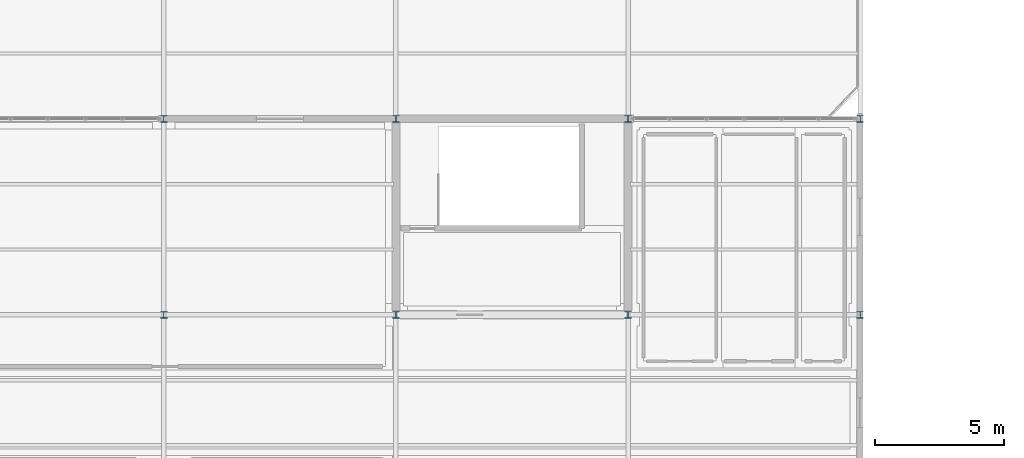
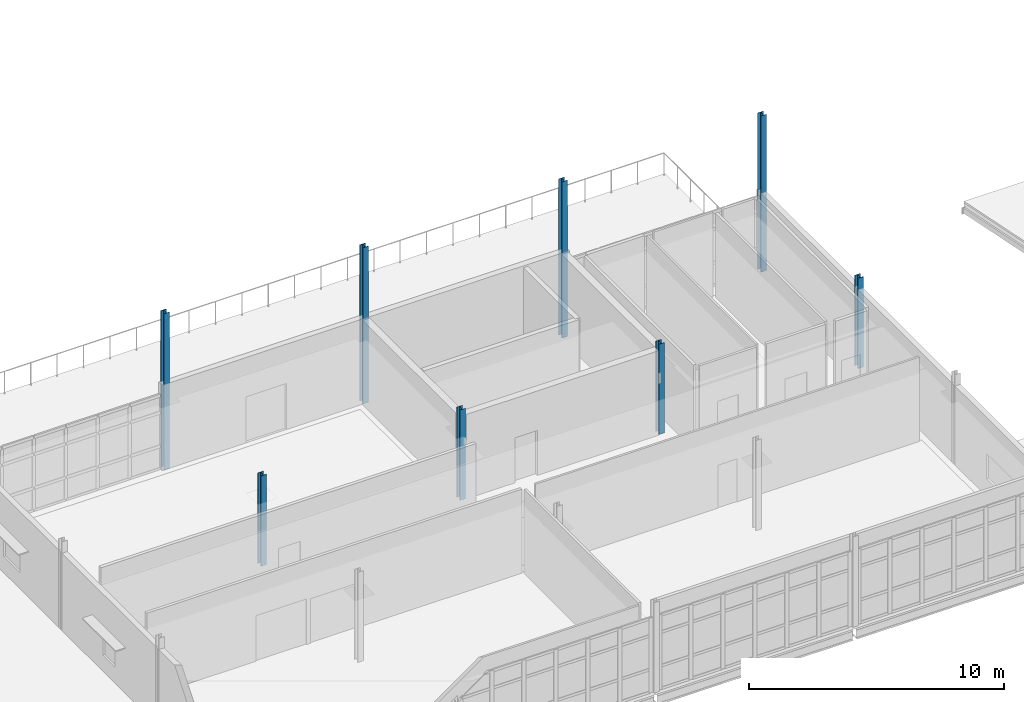
# One storey, part 11 of 96: 8 columns.
"""IFC4 building model written with IfcOpenShell, lengths in metres."""

from ifc_helpers import new_model, si_unit, direction, frame, origin, origin_2d, place, context, subcontext, project, spatial, i_section, extrude, material, material_profile, profile_set, type_object, element, save


model = new_model("IFC4")

# Units and contexts
model_context = context("Model", 3, precision=1e-05, world=origin(), true_north=direction((0.0, 1.0)))
body_context = subcontext(model_context, "Body", "Model", "MODEL_VIEW")
ifc_project = project(units=[si_unit("LENGTHUNIT", "METRE"), si_unit("AREAUNIT", "SQUARE_METRE"), si_unit("VOLUMEUNIT", "CUBIC_METRE"), si_unit("PLANEANGLEUNIT", "RADIAN"), si_unit("MASSUNIT", "GRAM", prefix="KILO")], contexts=[model_context])

# Site, building, storey
site_placement = place(None, origin())
site = spatial("IfcSite", under=ifc_project, at=site_placement, CompositionType="ELEMENT")
building_placement = place(site_placement, origin())
building = spatial("IfcBuilding", under=site, at=building_placement, Name="Caisbarro Railhouse Central Library", CompositionType="ELEMENT")
storey_placement = place(building_placement, frame((0.0, 0.0, 13.679931640625)))
storey = spatial("IfcBuildingStorey", under=building, at=storey_placement, Name="L03", CompositionType="ELEMENT", Elevation=13.679931640625)

# Columns
ifc_material = material(Name="Steel ASTM A572 Grade 50", Category="steel")
ifc_material_profile = material_profile(ifc_material, i_section(OverallWidth=0.25390625, OverallDepth=0.2529296875, WebThickness=0.008544921875, FlangeThickness=0.01416015625, FilletRadius=0.011962890625, at=origin_2d()), Name="W250X73.0")
ifc_profile_set = profile_set([ifc_material_profile], Name="Steel ASTM A572 Grade 50")
column_type = type_object("IfcColumnType", Name="COL-C08", PredefinedType="COLUMN", material=ifc_profile_set)
column_1_placement = place(storey_placement, frame((72.0, 98.800048828125, 0.0), z_axis=(0.0, 0.0, 1.0), x_axis=(1.0, 0.0, 0.0)))
element("IfcColumn", 1, at=column_1_placement, inside=storey, type_object=column_type, Name="C08 column L03 (72.0,98.8)", PredefinedType="COLUMN", context=body_context, shape_type="SweptSolid", body=[
    extrude(i_section(OverallWidth=0.25390625, OverallDepth=0.2529296875, WebThickness=0.008544921875, FlangeThickness=0.01416015625, FilletRadius=0.011962890625, at=origin_2d()), origin(), (0.0, 0.0, 1.0), 4.320068359375),
])
column_2_placement = place(storey_placement, frame((72.0, 106.39990234375, 0.0), z_axis=(0.0, 0.0, 1.0), x_axis=(1.0, 0.0, 0.0)))
element("IfcColumn", 2, at=column_2_placement, inside=storey, type_object=column_type, Name="C08 column L03 (72.0,106.4)", PredefinedType="COLUMN", context=body_context, shape_type="SweptSolid", body=[
    extrude(i_section(OverallWidth=0.25390625, OverallDepth=0.2529296875, WebThickness=0.008544921875, FlangeThickness=0.01416015625, FilletRadius=0.011962890625, at=origin_2d()), origin(), (0.0, 0.0, 1.0), 7.469970703125),
])
column_3_placement = place(storey_placement, frame((81.0, 98.800048828125, 0.0), z_axis=(0.0, 0.0, 1.0), x_axis=(1.0, 0.0, 0.0)))
element("IfcColumn", 3, at=column_3_placement, inside=storey, type_object=column_type, Name="C08 column L03 (81.0,98.8)", PredefinedType="COLUMN", context=body_context, shape_type="SweptSolid", body=[
    extrude(i_section(OverallWidth=0.25390625, OverallDepth=0.2529296875, WebThickness=0.008544921875, FlangeThickness=0.01416015625, FilletRadius=0.011962890625, at=origin_2d()), origin(), (0.0, 0.0, 1.0), 4.320068359375),
])
column_4_placement = place(storey_placement, frame((81.0, 106.39990234375, 0.0), z_axis=(0.0, 0.0, 1.0), x_axis=(1.0, 0.0, 0.0)))
element("IfcColumn", 4, at=column_4_placement, inside=storey, type_object=column_type, Name="C08 column L03 (81.0,106.4)", PredefinedType="COLUMN", context=body_context, shape_type="SweptSolid", body=[
    extrude(i_section(OverallWidth=0.25390625, OverallDepth=0.2529296875, WebThickness=0.008544921875, FlangeThickness=0.01416015625, FilletRadius=0.011962890625, at=origin_2d()), origin(), (0.0, 0.0, 1.0), 7.469970703125),
])
column_5_placement = place(storey_placement, frame((90.0, 98.800048828125, 0.0), z_axis=(0.0, 0.0, 1.0), x_axis=(1.0, 0.0, 0.0)))
element("IfcColumn", 5, at=column_5_placement, inside=storey, type_object=column_type, Name="C08 column L03 (90.0,98.8)", PredefinedType="COLUMN", context=body_context, shape_type="SweptSolid", body=[
    extrude(i_section(OverallWidth=0.25390625, OverallDepth=0.2529296875, WebThickness=0.008544921875, FlangeThickness=0.01416015625, FilletRadius=0.011962890625, at=origin_2d()), origin(), (0.0, 0.0, 1.0), 4.320068359375),
])
column_6_placement = place(storey_placement, frame((90.0, 106.39990234375, 0.0), z_axis=(0.0, 0.0, 1.0), x_axis=(1.0, 0.0, 0.0)))
element("IfcColumn", 6, at=column_6_placement, inside=storey, type_object=column_type, Name="C08 column L03 (90.0,106.4)", PredefinedType="COLUMN", context=body_context, shape_type="SweptSolid", body=[
    extrude(i_section(OverallWidth=0.25390625, OverallDepth=0.2529296875, WebThickness=0.008544921875, FlangeThickness=0.01416015625, FilletRadius=0.011962890625, at=origin_2d()), origin(), (0.0, 0.0, 1.0), 7.469970703125),
])
column_7_placement = place(storey_placement, frame((99.0, 98.800048828125, 0.0), z_axis=(0.0, 0.0, 1.0), x_axis=(1.0, 0.0, 0.0)))
element("IfcColumn", 7, at=column_7_placement, inside=storey, type_object=column_type, Name="C08 column L03 (99.0,98.8)", PredefinedType="COLUMN", context=body_context, shape_type="SweptSolid", body=[
    extrude(i_section(OverallWidth=0.25390625, OverallDepth=0.2529296875, WebThickness=0.008544921875, FlangeThickness=0.01416015625, FilletRadius=0.011962890625, at=origin_2d()), origin(), (0.0, 0.0, 1.0), 4.320068359375),
])
column_8_placement = place(storey_placement, frame((99.0, 106.39990234375, 0.0), z_axis=(0.0, 0.0, 1.0), x_axis=(1.0, 0.0, 0.0)))
element("IfcColumn", 8, at=column_8_placement, inside=storey, type_object=column_type, Name="C08 column L03 (99.0,106.4)", PredefinedType="COLUMN", context=body_context, shape_type="SweptSolid", body=[
    extrude(i_section(OverallWidth=0.25390625, OverallDepth=0.2529296875, WebThickness=0.008544921875, FlangeThickness=0.01416015625, FilletRadius=0.011962890625, at=origin_2d()), origin(), (0.0, 0.0, 1.0), 7.469970703125),
])

save(model, "model.ifc")
